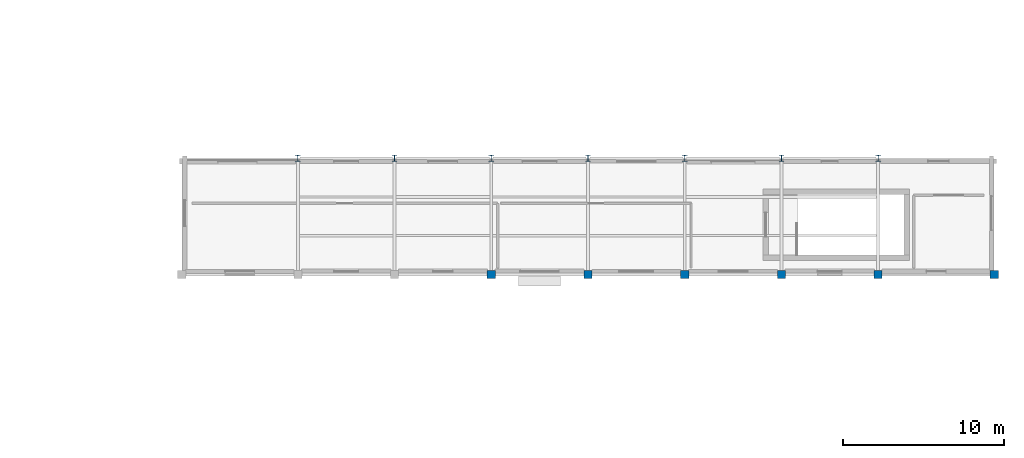
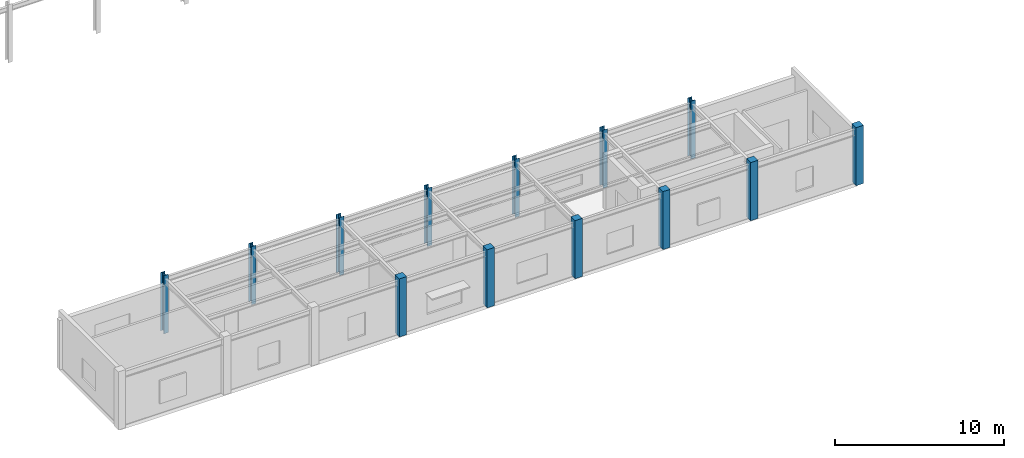
# One storey, part 3 of 47: 13 columns.
"""IFC4 building model written with IfcOpenShell, lengths in metres."""

from ifc_helpers import new_model, si_unit, direction, frame, origin, origin_2d, place, context, subcontext, project, spatial, rectangle, i_section, extrude, material, material_profile, profile_set, type_object, element, save


model = new_model("IFC4")

# Units and contexts
model_context = context("Model", 3, precision=1e-05, world=origin(), true_north=direction((0.0, 1.0)))
body_context = subcontext(model_context, "Body", "Model", "MODEL_VIEW")
ifc_project = project(units=[si_unit("LENGTHUNIT", "METRE"), si_unit("AREAUNIT", "SQUARE_METRE"), si_unit("VOLUMEUNIT", "CUBIC_METRE"), si_unit("PLANEANGLEUNIT", "RADIAN"), si_unit("MASSUNIT", "GRAM", prefix="KILO")], contexts=[model_context])

# Site, building, storey
site_placement = place(None, origin())
site = spatial("IfcSite", under=ifc_project, at=site_placement, CompositionType="ELEMENT")
building_placement = place(site_placement, origin())
building = spatial("IfcBuilding", under=site, at=building_placement, Name="Brisavento Harbour Community Centre", CompositionType="ELEMENT")
storey_placement = place(building_placement, frame((0.0, 0.0, 8.699951171875)))
storey = spatial("IfcBuildingStorey", under=building, at=storey_placement, Name="L02", CompositionType="ELEMENT", Elevation=8.699951171875)

# Columns
ifc_material_1 = material(Name="Concrete C35/45", Category="concrete")
ifc_material_profile_1 = material_profile(ifc_material_1, rectangle(XDim=0.5, YDim=0.5, at=origin_2d()), Name="Concrete C35/45")
ifc_profile_set_1 = profile_set([ifc_material_profile_1], Name="Concrete C35/45")
column_type_1 = type_object("IfcColumnType", Name="COL-RC-500", PredefinedType="COLUMN", material=ifc_profile_set_1)
for number, where, z_axis, x_axis, name in (
    (1, (141.60009765625, 79.199951171875, 0.0), (0.0, 0.0, 1.0), (1.0, 0.0, 0.0), "L02 column V4SB-3"),
    (2, (147.60009765625, 79.199951171875, 0.0), (0.0, 0.0, 1.0), (1.0, 0.0, 0.0), "L02 column V4SB-4"),
    (3, (153.60009765625, 79.199951171875, 0.0), (0.0, 0.0, 1.0), (1.0, 0.0, 0.0), "L02 column V4SB-5"),
    (4, (159.60009765625, 79.199951171875, 0.0), (0.0, 0.0, 1.0), (1.0, 0.0, 0.0), "L02 column V4SB-6"),
    (5, (165.60009765625, 79.199951171875, 0.0), (0.0, 0.0, 1.0), (1.0, 0.0, 0.0), "L02 column V4SB-7"),
    (6, (172.800048828125, 79.199951171875, 0.0), (0.0, 0.0, 1.0), (1.0, 0.0, 0.0), "L02 column V4SE-CORN"),
):
    element("IfcColumn", number, at=place(storey_placement, frame(where, z_axis=z_axis, x_axis=x_axis)), inside=storey, type_object=column_type_1, Name=name, PredefinedType="COLUMN", context=body_context, shape_type="SweptSolid", body=[
        extrude(rectangle(XDim=0.5, YDim=0.5, at=origin_2d()), origin(), (0.0, 0.0, 1.0), 4.199951171875),
    ])
ifc_material_2 = material(Name="Steel S355", Category="steel")
ifc_material_profile_2 = material_profile(ifc_material_2, i_section(OverallWidth=0.300048828125, OverallDepth=0.389892578125, WebThickness=0.010986328125, FlangeThickness=0.01904296875, FilletRadius=0.027099609375, at=origin_2d()), Name="Steel S355")
ifc_profile_set_2 = profile_set([ifc_material_profile_2], Name="Steel S355")
column_type_2 = type_object("IfcColumnType", Name="COL-STL-HEA400", PredefinedType="COLUMN", material=ifc_profile_set_2)
for number, where, z_axis, x_axis, name in (
    (7, (129.60009765625, 86.39990234375, 0.0), (0.0, 0.0, 1.0), (1.0, 0.0, 0.0), "L02 column V4TS-1"),
    (8, (135.60009765625, 86.39990234375, 0.0), (0.0, 0.0, 1.0), (1.0, 0.0, 0.0), "L02 column V4TS-2"),
    (9, (141.60009765625, 86.39990234375, 0.0), (0.0, 0.0, 1.0), (1.0, 0.0, 0.0), "L02 column V4TS-3"),
    (10, (147.60009765625, 86.39990234375, 0.0), (0.0, 0.0, 1.0), (1.0, 0.0, 0.0), "L02 column V4TS-4"),
    (11, (153.60009765625, 86.39990234375, 0.0), (0.0, 0.0, 1.0), (1.0, 0.0, 0.0), "L02 column V4TS-5"),
    (12, (159.60009765625, 86.39990234375, 0.0), (0.0, 0.0, 1.0), (1.0, 0.0, 0.0), "L02 column V4TS-6"),
    (13, (165.60009765625, 86.39990234375, 0.0), (0.0, 0.0, 1.0), (1.0, 0.0, 0.0), "L02 column V4TS-7"),
):
    element("IfcColumn", number, at=place(storey_placement, frame(where, z_axis=z_axis, x_axis=x_axis)), inside=storey, type_object=column_type_2, Name=name, PredefinedType="COLUMN", context=body_context, shape_type="SweptSolid", body=[
        extrude(i_section(OverallWidth=0.300048828125, OverallDepth=0.389892578125, WebThickness=0.010986328125, FlangeThickness=0.01904296875, FilletRadius=0.027099609375, at=origin_2d()), origin(), (0.0, 0.0, 1.0), 4.199951171875),
    ])

save(model, "model.ifc")
